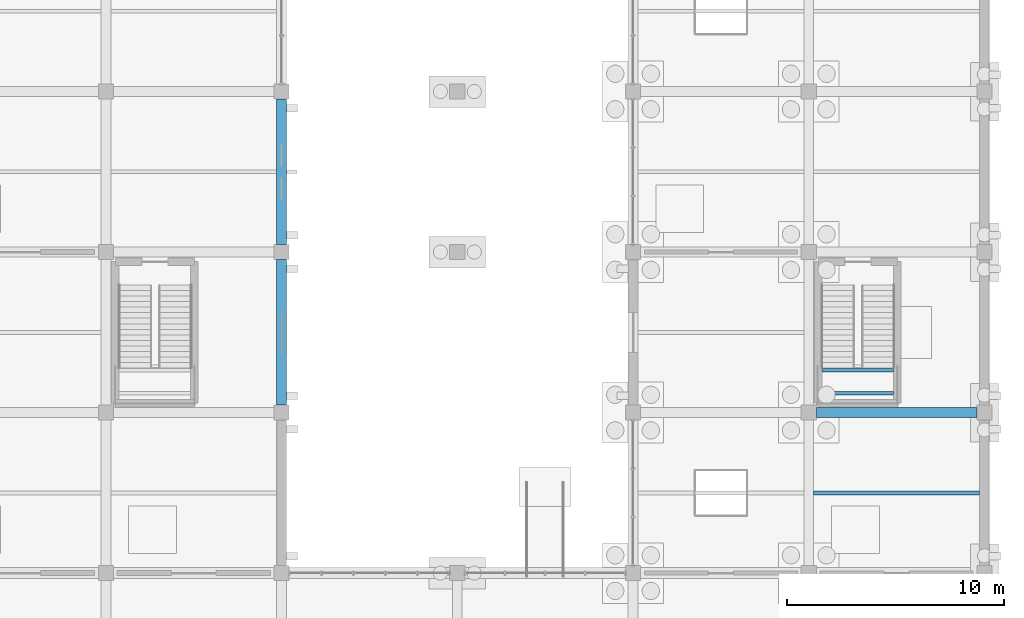
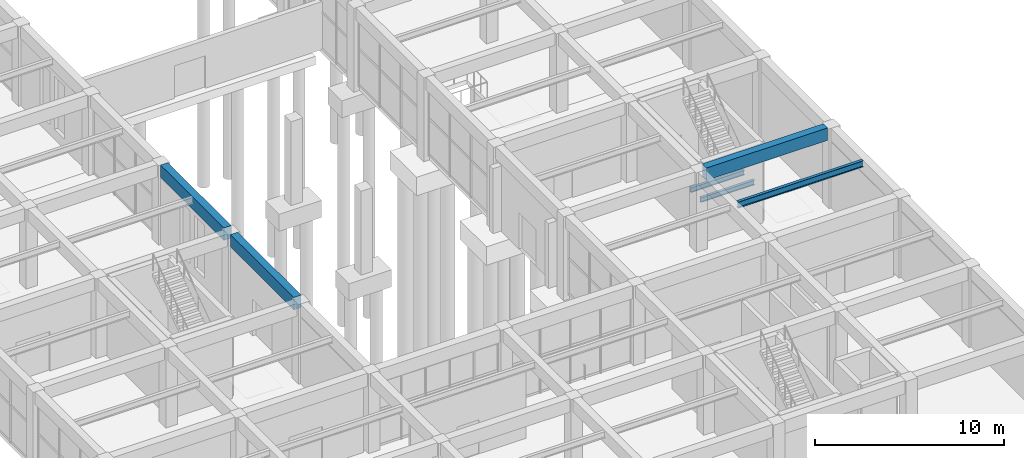
# One storey, part 97 of 140: 6 beams.
"""IFC4 building model written with IfcOpenShell, lengths in metres."""

import ifcopenshell
import ifcopenshell.guid

model = None  # the IFC model being written
_history = None  # IfcOwnerHistory: only IFC2X3 demands one
_inside = {}  # id of a spatial element -> (the spatial element, [elements in it])
_under = {}  # id of a project, library or spatial element -> (it, [spatial elements below it])
_declared = {}  # id of a project -> (the project, [libraries it declares])
_typed = {}  # id of a type object -> (the type object, [elements of that type])
_made_of = {}  # id of a material, layer set ... -> (it, [elements and type objects made of it])


def new_model(schema):
    """Start an empty IFC model of exactly this schema.

    Asked for "IFC4X3", IfcOpenShell would pick the latest addendum, in which some entities
    have other attributes; the version numbers below select the first issue.
    IFC2X3 requires an IfcOwnerHistory on every rooted entity: one is made here for all.
    """
    global model, _history
    if schema == "IFC4X3":
        model = ifcopenshell.file(schema_version=(4, 3, 0, 0))
    else:
        model = ifcopenshell.file(schema=schema)
    _inside.clear()
    _under.clear()
    _declared.clear()
    _typed.clear()
    _made_of.clear()
    _history = None
    if model.schema == "IFC2X3":
        org = make("IfcOrganization", Name="unknown")
        user = make(
            "IfcPersonAndOrganization",
            ThePerson=make("IfcPerson", FamilyName="unknown"),
            TheOrganization=org,
        )
        app = make(
            "IfcApplication",
            ApplicationDeveloper=org,
            Version="unknown",
            ApplicationFullName="unknown",
            ApplicationIdentifier="unknown",
        )
        _history = make(
            "IfcOwnerHistory",
            OwningUser=user,
            OwningApplication=app,
            ChangeAction="ADDED",
            CreationDate=0,
        )
    return model


def make(cls, **values):
    """One entity of the class cls with the attributes given. An attribute that is None is left unset."""
    return model.create_entity(
        cls, **{name: value for name, value in values.items() if value is not None}
    )


def rooted(cls, **values):
    """An entity with a GlobalId (a new one), such as an element, a storey or a relation."""
    return make(cls, GlobalId=ifcopenshell.guid.new(), OwnerHistory=_history, **values)


def si_unit(unit_type, name, prefix=None):
    """IfcSIUnit, for example si_unit("LENGTHUNIT", "METRE", prefix="MILLI")."""
    return make("IfcSIUnit", UnitType=unit_type, Prefix=prefix, Name=name)


def assignment(units):
    """IfcUnitAssignment: the units of a project."""
    return None if units is None else make("IfcUnitAssignment", Units=units)


def point(xyz):
    """IfcCartesianPoint."""
    return None if xyz is None else make("IfcCartesianPoint", Coordinates=xyz)


def direction(xyz):
    """IfcDirection."""
    return None if xyz is None else make("IfcDirection", DirectionRatios=xyz)


def frame(location, z_axis=None, x_axis=None):
    """IfcAxis2Placement3D, a coordinate frame: its origin and axes. An axis left out is left unset."""
    return make(
        "IfcAxis2Placement3D",
        Location=point(location),
        Axis=direction(z_axis),
        RefDirection=direction(x_axis),
    )


def frame_2d(location, x_axis=None):
    """IfcAxis2Placement2D, a coordinate frame in the plane: its origin and x axis."""
    return make(
        "IfcAxis2Placement2D", Location=point(location), RefDirection=direction(x_axis)
    )


def origin():
    """The frame at (0, 0, 0) with its axes left unset."""
    return frame((0.0, 0.0, 0.0))


def origin_2d():
    """The frame at (0, 0) in the plane with its x axis left unset."""
    return frame_2d((0.0, 0.0))


def place(relative_to, where):
    """IfcLocalPlacement: puts the frame where relative to a parent placement (None: the world)."""
    return make(
        "IfcLocalPlacement", PlacementRelTo=relative_to, RelativePlacement=where
    )


def context(
    kind, dimensions, precision=None, world=None, true_north=None, identifier=None
):
    """IfcGeometricRepresentationContext, for example the 3D "Model" context."""
    return make(
        "IfcGeometricRepresentationContext",
        ContextIdentifier=identifier,
        ContextType=kind,
        CoordinateSpaceDimension=dimensions,
        Precision=precision,
        WorldCoordinateSystem=world,
        TrueNorth=true_north,
    )


def subcontext(parent, identifier, kind, view, scale=None):
    """IfcGeometricRepresentationSubContext, for example "Body" below "Model"."""
    return make(
        "IfcGeometricRepresentationSubContext",
        ContextIdentifier=identifier,
        ContextType=kind,
        ParentContext=parent,
        TargetScale=scale,
        TargetView=view,
    )


def project(units=None, contexts=None):
    """IfcProject with its units and contexts."""
    return rooted(
        "IfcProject",
        Name="project",
        RepresentationContexts=contexts,
        UnitsInContext=assignment(units),
    )


def spatial(cls, under=None, at=None, **own):
    """A site, building, storey or space (cls), placed at a placement, below another one or the project."""
    s = rooted(cls, ObjectPlacement=at, **own)
    if under is not None:
        _under.setdefault(under.id(), (under, []))[1].append(s)
    return s


def profile(cls, at=None, kind="AREA", **sizes):
    """A parametric profile (cls). Its sizes go by their IFC names, for example OverallWidth=200.0."""
    return make(cls, ProfileType=kind, Position=at, **sizes)


def rectangle(**sizes):
    """IfcRectangleProfileDef."""
    return profile("IfcRectangleProfileDef", **sizes)


def i_section(**sizes):
    """IfcIShapeProfileDef."""
    return profile("IfcIShapeProfileDef", **sizes)


def extrude(swept, where, along, depth):
    """IfcExtrudedAreaSolid: the profile swept, set in the frame where, extruded along a direction by depth."""
    return make(
        "IfcExtrudedAreaSolid",
        SweptArea=swept,
        Position=where,
        ExtrudedDirection=direction(along),
        Depth=depth,
    )


def shape(context_of_items, identifier, shape_type, items):
    """IfcShapeRepresentation: the items that make up one representation, for example the "Body"."""
    return make(
        "IfcShapeRepresentation",
        ContextOfItems=context_of_items,
        RepresentationIdentifier=identifier,
        RepresentationType=shape_type,
        Items=items,
    )


def material(Name=None, Category=None):
    """IfcMaterial."""
    return make("IfcMaterial", Name=Name, Category=Category)


def material_profile(
    of_material, cross_section, Name=None, Category=None, Priority=None
):
    """IfcMaterialProfile: a cross section and its material."""
    return make(
        "IfcMaterialProfile",
        Name=Name,
        Material=of_material,
        Profile=cross_section,
        Priority=Priority,
        Category=Category,
    )


def profile_set(profiles, Name=None, composite=None):
    """IfcMaterialProfileSet."""
    return make(
        "IfcMaterialProfileSet",
        Name=Name,
        MaterialProfiles=profiles,
        CompositeProfile=composite,
    )


def made_of(thing, what):
    """Note that an element or type object is made of a material, layer set ...; save() writes the relation."""
    if what is not None:
        _made_of.setdefault(what.id(), (what, []))[1].append(thing)
    return thing


def type_object(cls, material=None, **own):
    """A type object (cls), such as IfcWallType, which elements share."""
    return made_of(rooted(cls, **own), material)


def element(
    cls,
    number,
    at=None,
    inside=None,
    cuts=None,
    type_object=None,
    material=None,
    context=None,
    identifier="Body",
    shape_type=None,
    held_by="IfcProductDefinitionShape",
    body=None,
    shapes=None,
    **own,
):
    """One element of the class cls, such as IfcWall. Its Tag is "e" and its number.

    at: its placement. inside: the storey or other place that contains it. cuts: it is an
    opening in that element (IfcRelVoidsElement). A single representation is given by context,
    identifier, shape_type and body (its items); several are given by shapes. held_by: the class
    of the entity that holds the representations. save() writes the other relations.
    """
    e = rooted(cls, Tag="e%d" % number, ObjectPlacement=at, **own)
    if body is not None:
        shapes = [shape(context, identifier, shape_type, body)]
    if shapes is not None:
        e.Representation = make(held_by, Representations=shapes)
    if inside is not None:
        _inside.setdefault(inside.id(), (inside, []))[1].append(e)
    if cuts is not None:
        rooted(
            "IfcRelVoidsElement", RelatingBuildingElement=cuts, RelatedOpeningElement=e
        )
    if type_object is not None:
        _typed.setdefault(type_object.id(), (type_object, []))[1].append(e)
    return made_of(e, material)


def aggregate(whole, parts):
    """IfcRelAggregates: a whole, such as a stair, and the parts it consists of."""
    return rooted("IfcRelAggregates", RelatingObject=whole, RelatedObjects=parts)


def save(model, path):
    """Write the relations noted so far, then the file.

    IfcRelAggregates (storeys below a building ...), IfcRelContainedInSpatialStructure (elements
    in a storey), IfcRelDefinesByType, IfcRelAssociatesMaterial and IfcRelDeclares: one each for
    every whole, place, type object, material and project.
    """
    for whole, parts in _under.values():
        aggregate(whole, parts)
    for where, things in _inside.values():
        rooted(
            "IfcRelContainedInSpatialStructure",
            RelatedElements=things,
            RelatingStructure=where,
        )
    for kind, things in _typed.values():
        rooted("IfcRelDefinesByType", RelatedObjects=things, RelatingType=kind)
    for what, things in _made_of.values():
        rooted("IfcRelAssociatesMaterial", RelatedObjects=things, RelatingMaterial=what)
    for by, libraries in _declared.values():
        rooted("IfcRelDeclares", RelatingContext=by, RelatedDefinitions=libraries)
    model.write(path)


model = new_model("IFC4")

# Units and contexts
model_context = context("Model", 3, precision=1e-05, world=origin(), true_north=direction((0.0, 1.0)))
body_context = subcontext(model_context, "Body", "Model", "MODEL_VIEW")
ifc_project = project(units=[si_unit("LENGTHUNIT", "METRE"), si_unit("AREAUNIT", "SQUARE_METRE"), si_unit("VOLUMEUNIT", "CUBIC_METRE"), si_unit("PLANEANGLEUNIT", "RADIAN"), si_unit("MASSUNIT", "GRAM", prefix="KILO")], contexts=[model_context])

# Site, building, storey
site_placement = place(None, origin())
site = spatial("IfcSite", under=ifc_project, at=site_placement, CompositionType="ELEMENT")
building_placement = place(site_placement, origin())
building = spatial("IfcBuilding", under=site, at=building_placement, Name="Cimatlan Art Gallery", CompositionType="ELEMENT")
storey_placement = place(building_placement, origin())
storey = spatial("IfcBuildingStorey", under=building, at=storey_placement, Name="L00", CompositionType="ELEMENT", Elevation=0.0)

# Beams
ifc_material_1 = material(Name="Concrete C40/50", Category="concrete")
ifc_material_profile_1 = material_profile(ifc_material_1, rectangle(XDim=0.449951171875, YDim=0.800048828125, at=origin_2d()), Name="RC450X800")
ifc_profile_set_1 = profile_set([ifc_material_profile_1], Name="Concrete C40/50")
beam_type_1 = type_object("IfcBeamType", Name="BM-RC-450X800", PredefinedType="BEAM", material=ifc_profile_set_1)
for number, where, z_axis, x_axis, name in (
    (1, (131.60009765625, 46.449951171875, 4.735107421875), (0.0, 1.0, 0.0), (-1.0, 0.0, 0.0), "BM-Y-L00-16-06"),
    (2, (131.60009765625, 53.85009765625, 4.735107421875), (0.0, 1.0, 0.0), (-1.0, 0.0, 0.0), "BM-Y-L00-16-07"),
):
    element("IfcBeam", number, at=place(storey_placement, frame(where, z_axis=z_axis, x_axis=x_axis)), inside=storey, type_object=beam_type_1, Name=name, PredefinedType="BEAM", context=body_context, shape_type="SweptSolid", body=[
        extrude(rectangle(XDim=0.449951171875, YDim=0.800048828125, at=origin_2d()), origin(), (0.0, 0.0, 1.0), 6.699951171875),
    ])
beam_1_placement = place(storey_placement, frame((156.25, 46.10009765625, 4.735107421875), z_axis=(1.0, 0.0, 0.0), x_axis=(0.0, 1.0, 0.0)))
element("IfcBeam", 3, at=beam_1_placement, inside=storey, type_object=beam_type_1, Name="BM-X-L00-19-06", PredefinedType="BEAM", context=body_context, shape_type="SweptSolid", body=[
    extrude(rectangle(XDim=0.449951171875, YDim=0.800048828125, at=origin_2d()), origin(), (0.0, 0.0, 1.0), 7.39990234375),
])
ifc_material_2 = material(Name="Steel ASTM A992 Grade 50", Category="steel")
ifc_material_profile_2 = material_profile(ifc_material_2, i_section(OverallWidth=0.1650390625, OverallDepth=0.31005859375, WebThickness=0.005859375, FlangeThickness=0.009765625, at=origin_2d()), Name="W12X26")
ifc_profile_set_2 = profile_set([ifc_material_profile_2], Name="Steel ASTM A992 Grade 50")
beam_type_2 = type_object("IfcBeamType", Name="BM-STL-W12X26", PredefinedType="JOIST", material=ifc_profile_set_2)
for number, where, z_axis, x_axis, name in (
    (4, (156.514892578125, 47.0, 2.324951171875), (1.0, 0.0, 0.0), (0.0, 1.0, 0.0), "BM-STR-C10-L00-LH1"),
    (5, (156.514892578125, 48.054931640625, 2.324951171875), (1.0, 0.0, 0.0), (0.0, 1.0, 0.0), "BM-STR-C10-L00-LH2"),
):
    element("IfcBeam", number, at=place(storey_placement, frame(where, z_axis=z_axis, x_axis=x_axis)), inside=storey, type_object=beam_type_2, Name=name, PredefinedType="JOIST", context=body_context, shape_type="SweptSolid", body=[
        extrude(i_section(OverallWidth=0.1650390625, OverallDepth=0.31005859375, WebThickness=0.005859375, FlangeThickness=0.009765625, at=origin_2d()), origin(), (0.0, 0.0, 1.0), 3.2900390625),
    ])
ifc_material_profile_3 = material_profile(ifc_material_2, i_section(OverallWidth=0.177978515625, OverallDepth=0.406982421875, WebThickness=0.0078125, FlangeThickness=0.0126953125, at=origin_2d()), Name="W16X40")
ifc_profile_set_3 = profile_set([ifc_material_profile_3], Name="Steel ASTM A992 Grade 50")
beam_type_3 = type_object("IfcBeamType", Name="BM-STL-W16X40", PredefinedType="JOIST", material=ifc_profile_set_3)
beam_2_placement = place(storey_placement, frame((156.125, 42.39990234375, 4.931396484375), z_axis=(1.0, 0.0, 0.0), x_axis=(0.0, 1.0, 0.0)))
element("IfcBeam", 6, at=beam_2_placement, inside=storey, type_object=beam_type_3, Name="JST-L00-19-05", PredefinedType="JOIST", context=body_context, shape_type="SweptSolid", body=[
    extrude(i_section(OverallWidth=0.177978515625, OverallDepth=0.406982421875, WebThickness=0.0078125, FlangeThickness=0.0126953125, at=origin_2d()), origin(), (0.0, 0.0, 1.0), 7.64990234375),
])

save(model, "model.ifc")
